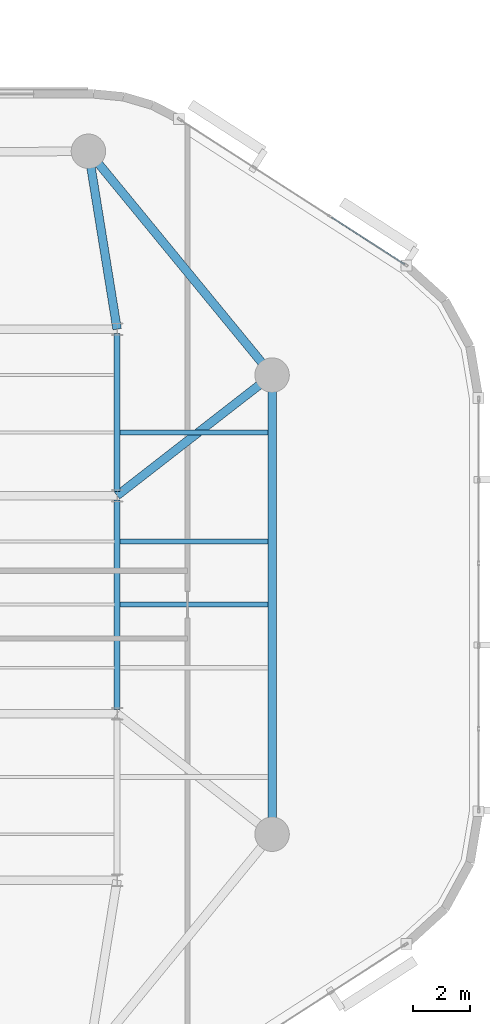
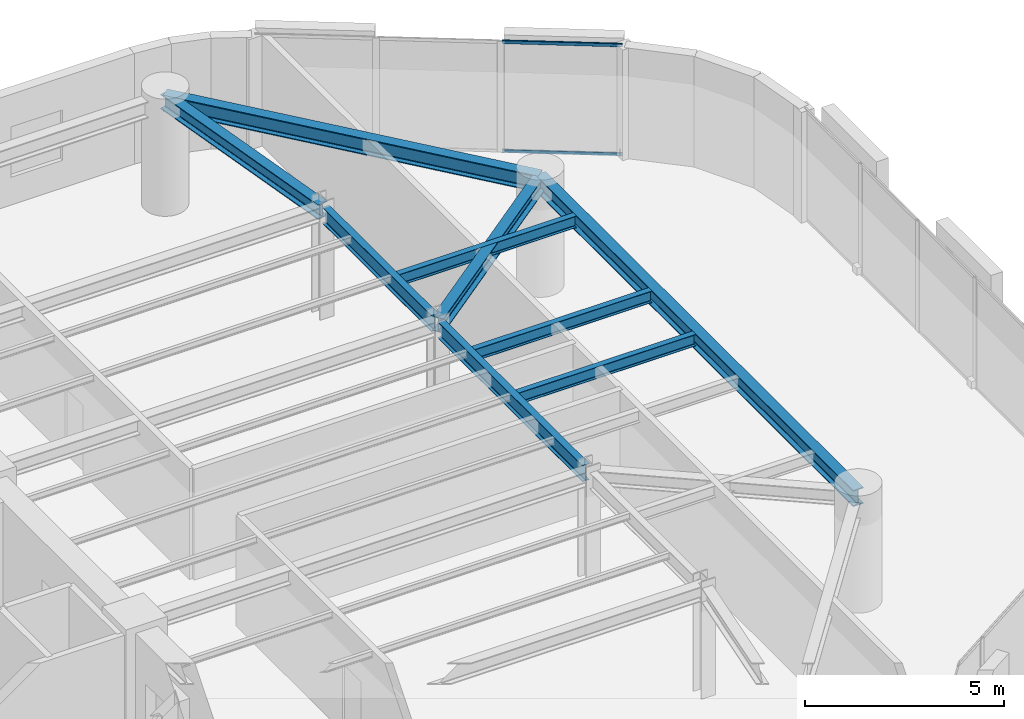
# One storey, part 4 of 14: 9 beams, 2 members, 1 element without a shape of its own.
"""IFC4 building model written with IfcOpenShell, lengths in metres."""

from ifc_helpers import new_model, si_unit, direction, frame, origin, origin_2d, place, context, subcontext, project, spatial, hollow_rectangle, i_section, extrude, material, layer, layer_set, material_profile, profile_set, type_object, element, aggregate, save


model = new_model("IFC4")

# Units and contexts
model_context = context("Model", 3, precision=1e-05, world=origin(), true_north=direction((0.0, 1.0)))
body_context = subcontext(model_context, "Body", "Model", "MODEL_VIEW")
ifc_project = project(units=[si_unit("LENGTHUNIT", "METRE"), si_unit("AREAUNIT", "SQUARE_METRE"), si_unit("VOLUMEUNIT", "CUBIC_METRE"), si_unit("PLANEANGLEUNIT", "RADIAN"), si_unit("MASSUNIT", "GRAM", prefix="KILO")], contexts=[model_context])

# Site, building, storey
site_placement = place(None, origin())
site = spatial("IfcSite", under=ifc_project, at=site_placement, CompositionType="ELEMENT")
building_placement = place(site_placement, origin())
building = spatial("IfcBuilding", under=site, at=building_placement, Name="An Khanh Terracotta Commons", CompositionType="ELEMENT")
storey_placement = place(building_placement, frame((0.0, 0.0, 158.199951171875)))
storey = spatial("IfcBuildingStorey", under=building, at=storey_placement, Name="L41", CompositionType="ELEMENT", Elevation=158.199951171875)

# Beams
ifc_material_1 = material(Name="Steel S355J2", Category="steel")
ifc_material_profile_1 = material_profile(ifc_material_1, i_section(OverallWidth=0.300048828125, OverallDepth=0.449951171875, WebThickness=0.013916015625, FlangeThickness=0.02587890625, FilletRadius=0.027099609375, at=origin_2d()), Name="HEB450")
ifc_profile_set_1 = profile_set([ifc_material_profile_1], Name="Steel S355J2")
beam_type_1 = type_object("IfcBeamType", Name="BM-HEB450", PredefinedType="BEAM", material=ifc_profile_set_1)
beam_1_placement = place(storey_placement, frame((55.800048828125, 32.0, 3.175048828125), z_axis=(-0.789363746927, -0.61392578952, 0.0), x_axis=(0.61392578952, -0.789363746927, 0.0)))
element("IfcBeam", 1, at=beam_1_placement, inside=storey, type_object=beam_type_1, Name="L41 Mega-Column Tie Girder 4", PredefinedType="BEAM", context=body_context, shape_type="SweptSolid", body=[
    extrude(i_section(OverallWidth=0.300048828125, OverallDepth=0.449951171875, WebThickness=0.013916015625, FlangeThickness=0.02587890625, FilletRadius=0.027099609375, at=origin_2d()), origin(), (0.0, 0.0, 1.0), 6.841064453125),
])
beam_2_placement = place(storey_placement, frame((49.39990234375, 39.800048828125, 3.175048828125), z_axis=(0.159233661074, -0.987240923575, 0.0), x_axis=(0.987240923575, 0.159233661074, 0.0)))
element("IfcBeam", 2, at=beam_2_placement, inside=storey, type_object=beam_type_1, Name="L41 Mega-Column Tie Girder 5", PredefinedType="BEAM", context=body_context, shape_type="SweptSolid", body=[
    extrude(i_section(OverallWidth=0.300048828125, OverallDepth=0.449951171875, WebThickness=0.013916015625, FlangeThickness=0.02587890625, FilletRadius=0.027099609375, at=origin_2d()), origin(), (0.0, 0.0, 1.0), 6.280029296875),
])
ifc_material_profile_2 = material_profile(ifc_material_1, i_section(OverallWidth=0.300048828125, OverallDepth=0.5, WebThickness=0.014404296875, FlangeThickness=0.028076171875, FilletRadius=0.027099609375, at=origin_2d()), Name="HEB500")
ifc_profile_set_2 = profile_set([ifc_material_profile_2], Name="Steel S355J2")
beam_type_2 = type_object("IfcBeamType", Name="BM-HEB500", PredefinedType="BEAM", material=ifc_profile_set_2)
beam_3_placement = place(storey_placement, frame((55.800048828125, 16.0, 3.150146484375), z_axis=(0.0, 1.0, 0.0), x_axis=(-1.0, 0.0, 0.0)))
element("IfcBeam", 3, at=beam_3_placement, inside=storey, type_object=beam_type_2, Name="L41 Perimeter Ring Spandrel 3", PredefinedType="BEAM", context=body_context, shape_type="SweptSolid", body=[
    extrude(i_section(OverallWidth=0.300048828125, OverallDepth=0.5, WebThickness=0.014404296875, FlangeThickness=0.028076171875, FilletRadius=0.027099609375, at=origin_2d()), origin(), (0.0, 0.0, 1.0), 16.0),
])
beam_4_placement = place(storey_placement, frame((55.800048828125, 32.0, 3.150146484375), z_axis=(-0.634322915223, 0.7730681983, 0.0), x_axis=(-0.7730681983, -0.634322915223, 0.0)))
element("IfcBeam", 4, at=beam_4_placement, inside=storey, type_object=beam_type_2, Name="L41 Perimeter Ring Spandrel 4", PredefinedType="BEAM", context=body_context, shape_type="SweptSolid", body=[
    extrude(i_section(OverallWidth=0.300048828125, OverallDepth=0.5, WebThickness=0.014404296875, FlangeThickness=0.028076171875, FilletRadius=0.027099609375, at=origin_2d()), origin(), (0.0, 0.0, 1.0), 10.08984375),
])
ifc_material_profile_3 = material_profile(ifc_material_1, i_section(OverallWidth=0.169921875, OverallDepth=0.360107421875, WebThickness=0.008056640625, FlangeThickness=0.0126953125, FilletRadius=0.01806640625, at=origin_2d()), Name="IPE360")
ifc_profile_set_3 = profile_set([ifc_material_profile_3], Name="Steel S355J2")
beam_type_3 = type_object("IfcBeamType", Name="BM-IPE360", PredefinedType="JOIST", material=ifc_profile_set_3)
for number, where, z_axis, x_axis, name in (
    (5, (50.5, 24.0, 3.219970703125), (1.0, 0.0, 0.0), (0.0, 1.0, 0.0), "L41 Riverfront Composite Joist 4"),
    (6, (50.5, 26.199951171875, 3.219970703125), (1.0, 0.0, 0.0), (0.0, 1.0, 0.0), "L41 Riverfront Composite Joist 5"),
    (7, (50.5, 30.0, 3.219970703125), (1.0, 0.0, 0.0), (0.0, 1.0, 0.0), "L41 Riverfront Composite Joist 6"),
):
    element("IfcBeam", number, at=place(storey_placement, frame(where, z_axis=z_axis, x_axis=x_axis)), inside=storey, type_object=beam_type_3, Name=name, PredefinedType="JOIST", context=body_context, shape_type="SweptSolid", body=[
        extrude(i_section(OverallWidth=0.169921875, OverallDepth=0.360107421875, WebThickness=0.008056640625, FlangeThickness=0.0126953125, FilletRadius=0.01806640625, at=origin_2d()), origin(), (0.0, 0.0, 1.0), 5.14990234375),
    ])
ifc_material_profile_4 = material_profile(ifc_material_1, i_section(OverallWidth=0.199951171875, OverallDepth=0.5, WebThickness=0.01025390625, FlangeThickness=0.01611328125, FilletRadius=0.02099609375, at=origin_2d()), Name="IPE500")
ifc_profile_set_4 = profile_set([ifc_material_profile_4], Name="Steel S355J2")
beam_type_4 = type_object("IfcBeamType", Name="BM-IPE500", PredefinedType="BEAM", material=ifc_profile_set_4)
beam_5_placement = place(storey_placement, frame((50.39990234375, 20.35009765625, 3.150146484375), z_axis=(0.0, 1.0, 0.0), x_axis=(-1.0, 0.0, 0.0)))
element("IfcBeam", 8, at=beam_5_placement, inside=storey, type_object=beam_type_4, Name="L41 East Spine Girder 2", PredefinedType="BEAM", context=body_context, shape_type="SweptSolid", body=[
    extrude(i_section(OverallWidth=0.199951171875, OverallDepth=0.5, WebThickness=0.01025390625, FlangeThickness=0.01611328125, FilletRadius=0.02099609375, at=origin_2d()), origin(), (0.0, 0.0, 1.0), 7.2998046875),
])
beam_6_placement = place(storey_placement, frame((50.39990234375, 27.949951171875, 3.150146484375), z_axis=(0.0, 1.0, 0.0), x_axis=(-1.0, 0.0, 0.0)))
element("IfcBeam", 9, at=beam_6_placement, inside=storey, type_object=beam_type_4, Name="L41 East Spine Girder 3", PredefinedType="BEAM", context=body_context, shape_type="SweptSolid", body=[
    extrude(i_section(OverallWidth=0.199951171875, OverallDepth=0.5, WebThickness=0.01025390625, FlangeThickness=0.01611328125, FilletRadius=0.02099609375, at=origin_2d()), origin(), (0.0, 0.0, 1.0), 5.5),
])

# Curtain wall, members
ifc_material_2 = material(Name="Anodised Aluminium 6063-T6", Category="aluminium")
ifc_layer = layer(ifc_material_2, 0.2099609375, Name="Anodised Aluminium 6063-T6")
ifc_layer_set = layer_set([ifc_layer], Name="Anodised Aluminium 6063-T6")
curtain_wall_type = type_object("IfcCurtainWallType", Name="CW-SYS-03", PredefinedType="USERDEFINED", material=ifc_layer_set)
curtain_wall_placement = place(storey_placement, origin())
curtain_wall = element("IfcCurtainWall", 10, at=curtain_wall_placement, inside=storey, type_object=curtain_wall_type, Name="L41 CW-03 Unitised Curtain Wall CW-L41-16", ObjectType="UNITISED CURTAIN WALL", PredefinedType="USERDEFINED")
ifc_material_profile_5 = material_profile(ifc_material_2, hollow_rectangle(XDim=0.050048828125, YDim=0.10009765625, WallThickness=0.003173828125, InnerFilletRadius=0.003173828125, OuterFilletRadius=0.00634765625, at=origin_2d()), Name="RHS100x50x3.2")
ifc_profile_set_5 = profile_set([ifc_material_profile_5], Name="Anodised Aluminium 6063-T6")
member_type = type_object("IfcMemberType", Name="CWT-RHS100x50x3.2", PredefinedType="USERDEFINED", material=ifc_profile_set_5)
member_1_placement = place(storey_placement, frame((60.419189453125, 35.86181640625, 0.025146484375), z_axis=(-0.840673595852, 0.541542154626, 0.0), x_axis=(-0.541542154626, -0.840673595852, 0.0)))
member_1 = element("IfcMember", 11, at=member_1_placement, type_object=member_type, Name="CW-03 transom 1.1", ObjectType="TRANSOM", PredefinedType="USERDEFINED", context=body_context, shape_type="SweptSolid", body=[
    extrude(hollow_rectangle(XDim=0.050048828125, YDim=0.10009765625, WallThickness=0.003173828125, InnerFilletRadius=0.003173828125, OuterFilletRadius=0.00634765625, at=origin_2d()), origin(), (0.0, 0.0, 1.0), 3.034423828125),
])
member_2_placement = place(storey_placement, frame((60.419189453125, 35.86181640625, 3.375), z_axis=(-0.840673595852, 0.541542154626, 0.0), x_axis=(-0.541542154626, -0.840673595852, 0.0)))
member_2 = element("IfcMember", 12, at=member_2_placement, type_object=member_type, Name="CW-03 transom 1.2", ObjectType="TRANSOM", PredefinedType="USERDEFINED", context=body_context, shape_type="SweptSolid", body=[
    extrude(hollow_rectangle(XDim=0.050048828125, YDim=0.10009765625, WallThickness=0.003173828125, InnerFilletRadius=0.003173828125, OuterFilletRadius=0.00634765625, at=origin_2d()), origin(), (0.0, 0.0, 1.0), 3.034423828125),
])
aggregate(curtain_wall, [member_1, member_2])

save(model, "model.ifc")
